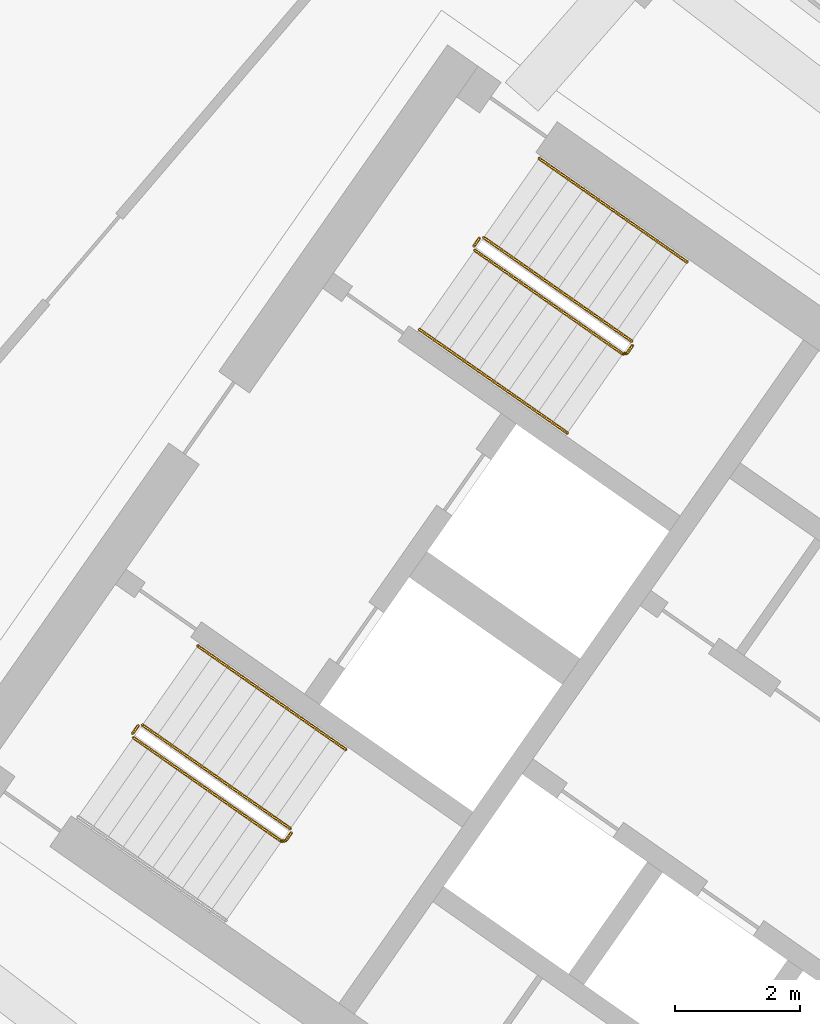
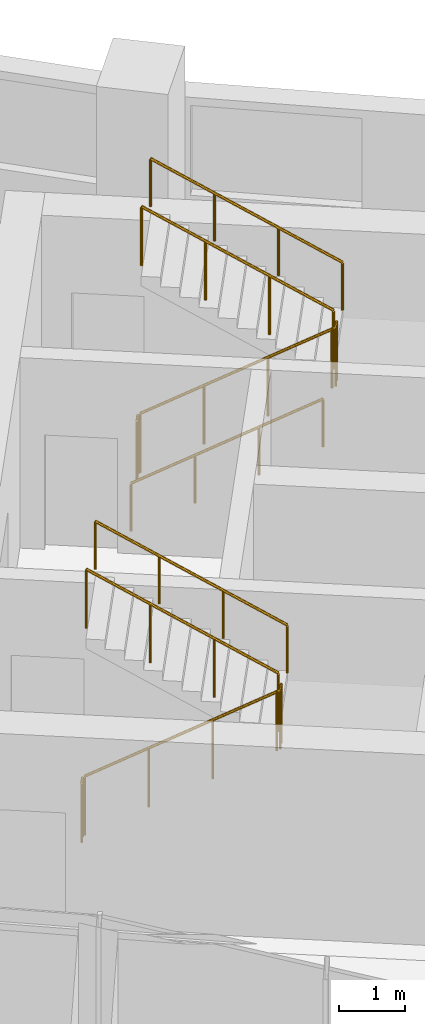
# One storey, part 22 of 27: 9 railings.
"""IFC4 building model written with IfcOpenShell, lengths in metres."""

from ifc_helpers import new_model, si_unit, direction, frame, origin, origin_2d, place, context, subcontext, project, spatial, circle, extrude, material, type_object, element, save


model = new_model("IFC4")

# Units and contexts
model_context = context("Model", 3, precision=1e-05, world=origin(), true_north=direction((0.0, 1.0)))
body_context = subcontext(model_context, "Body", "Model", "MODEL_VIEW")
ifc_project = project(units=[si_unit("LENGTHUNIT", "METRE"), si_unit("AREAUNIT", "SQUARE_METRE"), si_unit("VOLUMEUNIT", "CUBIC_METRE"), si_unit("PLANEANGLEUNIT", "RADIAN"), si_unit("MASSUNIT", "GRAM", prefix="KILO")], contexts=[model_context])

# Site, building, storey
site_placement = place(None, origin())
site = spatial("IfcSite", under=ifc_project, at=site_placement, CompositionType="ELEMENT")
building_placement = place(site_placement, origin())
building = spatial("IfcBuilding", under=site, at=building_placement, Name="Qamariyya Broadcast Tower", CompositionType="ELEMENT")
storey_placement = place(building_placement, frame((0.0, 0.0, 191.10009765625)))
storey = spatial("IfcBuildingStorey", under=building, at=storey_placement, Name="L45", CompositionType="ELEMENT", Elevation=191.10009765625)

# Railings
ifc_material_1 = material(Name="Painted steel", Category="steel")
railing_type_1 = type_object("IfcRailingType", Name="Stair guard", PredefinedType="GUARDRAIL", material=ifc_material_1)
railing_1_placement = place(storey_placement, frame((-41.146728515625, -48.52490234375, 0.172607421875)))
element("IfcRailing", 1, at=railing_1_placement, inside=storey, type_object=railing_type_1, Name="L45 ST-W2 stair guard 1", PredefinedType="GUARDRAIL", context=body_context, shape_type="SweptSolid", body=[
    extrude(circle(Radius=0.02392578125, at=origin_2d()), frame((0.0, 0.0, 1.076171875), z_axis=(0.703770094002, -0.492783725636, 0.511734163933), x_axis=(0.573575343427, 0.819152809562, 0.0)), (0.0, 0.0, 1.0), 3.37548828125),
    extrude(circle(Radius=0.02392578125, at=origin_2d()), frame((2.37548828125, -1.663330078125, 2.80322265625), z_axis=(0.985059694769, 0.172213233351, 0.0), x_axis=(-0.172213233351, 0.985059694769, 0.0)), (0.0, 0.0, 1.0), 0.07080078125),
    extrude(circle(Radius=0.02392578125, at=origin_2d()), frame((2.4453125, -1.651123046875, 2.80322265625), z_axis=(0.572588637393, 0.819842821722, 0.0), x_axis=(-0.819842821722, 0.572588637393, 0.0)), (0.0, 0.0, 1.0), 0.150146484375),
    extrude(circle(Radius=0.02099609375, at=origin_2d()), origin(), (0.0, 0.0, 1.0), 1.052001953125),
    extrude(circle(Radius=0.02099609375, at=origin_2d()), frame((0.791748046875, -0.554443359375, 0.57568359375)), (0.0, 0.0, 1.0), 1.052001953125),
    extrude(circle(Radius=0.02099609375, at=origin_2d()), frame((1.583740234375, -1.10888671875, 1.151611328125)), (0.0, 0.0, 1.0), 1.052001953125),
    extrude(circle(Radius=0.02099609375, at=origin_2d()), frame((2.37548828125, -1.663330078125, 1.727294921875)), (0.0, 0.0, 1.0), 1.052001953125),
    extrude(circle(Radius=0.02099609375, at=origin_2d()), frame((2.4453125, -1.651123046875, 1.727294921875)), (0.0, 0.0, 1.0), 1.052001953125),
    extrude(circle(Radius=0.02099609375, at=origin_2d()), frame((2.53125, -1.528076171875, 1.727294921875)), (0.0, 0.0, 1.0), 1.052001953125),
])
railing_2_placement = place(storey_placement, frame((-38.627685546875, -49.9833984375, 2.072509765625)))
element("IfcRailing", 2, at=railing_2_placement, inside=storey, type_object=railing_type_1, Name="L45 ST-W2 stair guard 2", PredefinedType="GUARDRAIL", context=body_context, shape_type="SweptSolid", body=[
    extrude(circle(Radius=0.02392578125, at=origin_2d()), frame((0.0, 0.0, 1.076171875), z_axis=(-0.703770094002, 0.492783725636, 0.511734163933), x_axis=(-0.573575343427, -0.819152809562, 0.0)), (0.0, 0.0, 1.0), 3.37548828125),
    extrude(circle(Radius=0.02099609375, at=origin_2d()), origin(), (0.0, 0.0, 1.0), 1.052001953125),
    extrude(circle(Radius=0.02099609375, at=origin_2d()), frame((-0.791748046875, 0.554443359375, 0.57568359375)), (0.0, 0.0, 1.0), 1.052001953125),
    extrude(circle(Radius=0.02099609375, at=origin_2d()), frame((-1.583740234375, 1.10888671875, 1.151611328125)), (0.0, 0.0, 1.0), 1.052001953125),
    extrude(circle(Radius=0.02099609375, at=origin_2d()), frame((-2.37548828125, 1.663330078125, 1.727294921875)), (0.0, 0.0, 1.0), 1.052001953125),
])
railing_3_placement = place(storey_placement, frame((-41.158935546875, -48.455322265625, 0.0)))
element("IfcRailing", 3, at=railing_3_placement, inside=storey, type_object=railing_type_1, Name="L45 ST-W2 stair guard 3", PredefinedType="GUARDRAIL", context=body_context, shape_type="SweptSolid", body=[
    extrude(circle(Radius=0.02392578125, at=origin_2d()), frame((0.0, 0.0, 1.076171875), z_axis=(0.572588637393, 0.819842821722, 0.0), x_axis=(-0.819842821722, 0.572588637393, 0.0)), (0.0, 0.0, 1.0), 0.150146484375),
    extrude(circle(Radius=0.02099609375, at=origin_2d()), origin(), (0.0, 0.0, 1.0), 1.052001953125),
    extrude(circle(Radius=0.02099609375, at=origin_2d()), frame((0.0859375, 0.123046875, 0.0)), (0.0, 0.0, 1.0), 1.052001953125),
])
railing_4_placement = place(storey_placement, frame((-46.624267578125, -56.34765625, 0.172607421875)))
element("IfcRailing", 4, at=railing_4_placement, inside=storey, type_object=railing_type_1, Name="L45 ST-W1 stair guard 1", PredefinedType="GUARDRAIL", context=body_context, shape_type="SweptSolid", body=[
    extrude(circle(Radius=0.02392578125, at=origin_2d()), frame((0.0, 0.0, 1.076171875), z_axis=(0.703745009021, -0.492838488332, 0.511715923826), x_axis=(0.573631830683, 0.819113253969, 0.0)), (0.0, 0.0, 1.0), 3.37548828125),
    extrude(circle(Radius=0.02392578125, at=origin_2d()), frame((2.37548828125, -1.66357421875, 2.80322265625), z_axis=(0.984363469884, 0.176149252506, 0.0), x_axis=(-0.176149252506, 0.984363469884, 0.0)), (0.0, 0.0, 1.0), 0.07080078125),
    extrude(circle(Radius=0.02392578125, at=origin_2d()), frame((2.445068359375, -1.651123046875, 2.80322265625), z_axis=(0.574444878118, 0.818543268254, 0.0), x_axis=(-0.818543268254, 0.574444878118, 0.0)), (0.0, 0.0, 1.0), 0.150146484375),
    extrude(circle(Radius=0.02099609375, at=origin_2d()), origin(), (0.0, 0.0, 1.0), 1.052001953125),
    extrude(circle(Radius=0.02099609375, at=origin_2d()), frame((0.791748046875, -0.554443359375, 0.57568359375)), (0.0, 0.0, 1.0), 1.052001953125),
    extrude(circle(Radius=0.02099609375, at=origin_2d()), frame((1.583740234375, -1.109130859375, 1.151611328125)), (0.0, 0.0, 1.0), 1.052001953125),
    extrude(circle(Radius=0.02099609375, at=origin_2d()), frame((2.37548828125, -1.66357421875, 1.727294921875)), (0.0, 0.0, 1.0), 1.052001953125),
    extrude(circle(Radius=0.02099609375, at=origin_2d()), frame((2.445068359375, -1.651123046875, 1.727294921875)), (0.0, 0.0, 1.0), 1.052001953125),
    extrude(circle(Radius=0.02099609375, at=origin_2d()), frame((2.53125, -1.5283203125, 1.727294921875)), (0.0, 0.0, 1.0), 1.052001953125),
])
railing_5_placement = place(storey_placement, frame((-44.10546875, -57.806396484375, 2.072509765625)))
element("IfcRailing", 5, at=railing_5_placement, inside=storey, type_object=railing_type_1, Name="L45 ST-W1 stair guard 2", PredefinedType="GUARDRAIL", context=body_context, shape_type="SweptSolid", body=[
    extrude(circle(Radius=0.02392578125, at=origin_2d()), frame((0.0, 0.0, 1.076171875), z_axis=(-0.703770094002, 0.492783725636, 0.511734163933), x_axis=(-0.573575343427, -0.819152809562, 0.0)), (0.0, 0.0, 1.0), 3.37548828125),
    extrude(circle(Radius=0.02099609375, at=origin_2d()), origin(), (0.0, 0.0, 1.0), 1.052001953125),
    extrude(circle(Radius=0.02099609375, at=origin_2d()), frame((-0.791748046875, 0.554443359375, 0.57568359375)), (0.0, 0.0, 1.0), 1.052001953125),
    extrude(circle(Radius=0.02099609375, at=origin_2d()), frame((-1.583740234375, 1.10888671875, 1.151611328125)), (0.0, 0.0, 1.0), 1.052001953125),
    extrude(circle(Radius=0.02099609375, at=origin_2d()), frame((-2.37548828125, 1.663330078125, 1.727294921875)), (0.0, 0.0, 1.0), 1.052001953125),
])
railing_6_placement = place(storey_placement, frame((-46.63671875, -56.278076171875, 0.0)))
element("IfcRailing", 6, at=railing_6_placement, inside=storey, type_object=railing_type_1, Name="L45 ST-W1 stair guard 3", PredefinedType="GUARDRAIL", context=body_context, shape_type="SweptSolid", body=[
    extrude(circle(Radius=0.02392578125, at=origin_2d()), frame((0.0, 0.0, 1.076171875), z_axis=(0.574444878118, 0.818543268254, 0.0), x_axis=(-0.818543268254, 0.574444878118, 0.0)), (0.0, 0.0, 1.0), 0.150146484375),
    extrude(circle(Radius=0.02099609375, at=origin_2d()), origin(), (0.0, 0.0, 1.0), 1.052001953125),
    extrude(circle(Radius=0.02099609375, at=origin_2d()), frame((0.086181640625, 0.122802734375, 0.0)), (0.0, 0.0, 1.0), 1.052001953125),
])
ifc_material_2 = material(Name="Stainless steel", Category="steel")
railing_type_2 = type_object("IfcRailingType", Name="Stair handrail", PredefinedType="HANDRAIL", material=ifc_material_2)
railing_7_placement = place(storey_placement, frame((-42.03564453125, -49.79443359375, 0.172607421875)))
element("IfcRailing", 7, at=railing_7_placement, inside=storey, type_object=railing_type_2, Name="L45 ST-W2 stair handrail 1", PredefinedType="HANDRAIL", context=body_context, shape_type="SweptSolid", body=[
    extrude(circle(Radius=0.02392578125, at=origin_2d()), frame((0.0, 0.0, 0.8759765625), z_axis=(0.703745009021, -0.492838488332, 0.511715923826), x_axis=(0.573631830683, 0.819113253969, 0.0)), (0.0, 0.0, 1.0), 3.37548828125),
    extrude(circle(Radius=0.02099609375, at=origin_2d()), origin(), (0.0, 0.0, 1.0), 0.851806640625),
    extrude(circle(Radius=0.02099609375, at=origin_2d()), frame((0.791748046875, -0.554443359375, 0.57568359375)), (0.0, 0.0, 1.0), 0.851806640625),
    extrude(circle(Radius=0.02099609375, at=origin_2d()), frame((1.583740234375, -1.109130859375, 1.151611328125)), (0.0, 0.0, 1.0), 0.851806640625),
    extrude(circle(Radius=0.02099609375, at=origin_2d()), frame((2.37548828125, -1.66357421875, 1.727294921875)), (0.0, 0.0, 1.0), 0.851806640625),
])
railing_8_placement = place(storey_placement, frame((-37.73876953125, -48.7138671875, 2.072509765625)))
element("IfcRailing", 8, at=railing_8_placement, inside=storey, type_object=railing_type_2, Name="L45 ST-W2 stair handrail 2", PredefinedType="HANDRAIL", context=body_context, shape_type="SweptSolid", body=[
    extrude(circle(Radius=0.02392578125, at=origin_2d()), frame((0.0, 0.0, 0.8759765625), z_axis=(-0.703745009021, 0.492838488332, 0.511715923826), x_axis=(-0.573631830683, -0.819113253969, 0.0)), (0.0, 0.0, 1.0), 3.37548828125),
    extrude(circle(Radius=0.02099609375, at=origin_2d()), origin(), (0.0, 0.0, 1.0), 0.851806640625),
    extrude(circle(Radius=0.02099609375, at=origin_2d()), frame((-0.791748046875, 0.554443359375, 0.57568359375)), (0.0, 0.0, 1.0), 0.851806640625),
    extrude(circle(Radius=0.02099609375, at=origin_2d()), frame((-1.583740234375, 1.109130859375, 1.151611328125)), (0.0, 0.0, 1.0), 0.851806640625),
    extrude(circle(Radius=0.02099609375, at=origin_2d()), frame((-2.37548828125, 1.66357421875, 1.727294921875)), (0.0, 0.0, 1.0), 0.851806640625),
])
railing_9_placement = place(storey_placement, frame((-43.21630859375, -56.53662109375, 2.072509765625)))
element("IfcRailing", 9, at=railing_9_placement, inside=storey, type_object=railing_type_2, Name="L45 ST-W1 stair handrail 2", PredefinedType="HANDRAIL", context=body_context, shape_type="SweptSolid", body=[
    extrude(circle(Radius=0.02392578125, at=origin_2d()), frame((0.0, 0.0, 0.8759765625), z_axis=(-0.703770094002, 0.492783725636, 0.511734163933), x_axis=(-0.573575343427, -0.819152809562, 0.0)), (0.0, 0.0, 1.0), 3.37548828125),
    extrude(circle(Radius=0.02099609375, at=origin_2d()), origin(), (0.0, 0.0, 1.0), 0.851806640625),
    extrude(circle(Radius=0.02099609375, at=origin_2d()), frame((-0.791748046875, 0.554443359375, 0.57568359375)), (0.0, 0.0, 1.0), 0.851806640625),
    extrude(circle(Radius=0.02099609375, at=origin_2d()), frame((-1.583740234375, 1.10888671875, 1.151611328125)), (0.0, 0.0, 1.0), 0.851806640625),
    extrude(circle(Radius=0.02099609375, at=origin_2d()), frame((-2.37548828125, 1.663330078125, 1.727294921875)), (0.0, 0.0, 1.0), 0.851806640625),
])

save(model, "model.ifc")
